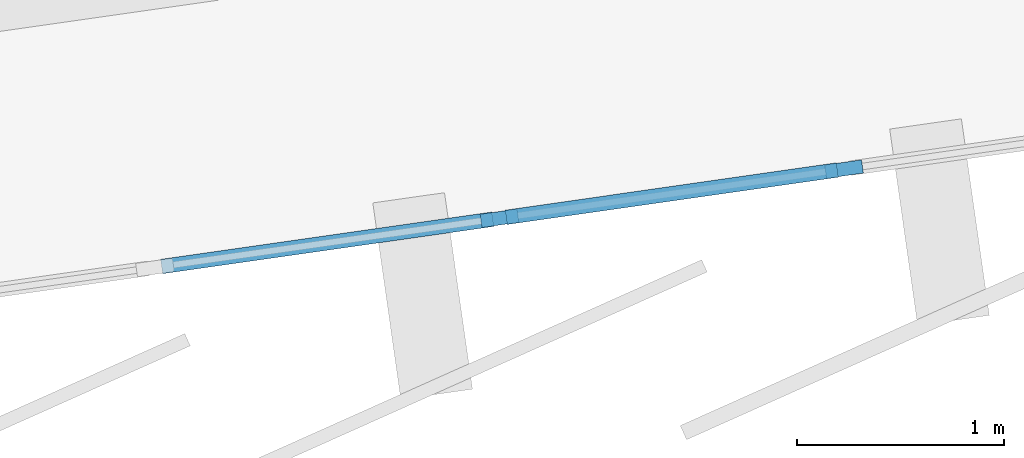
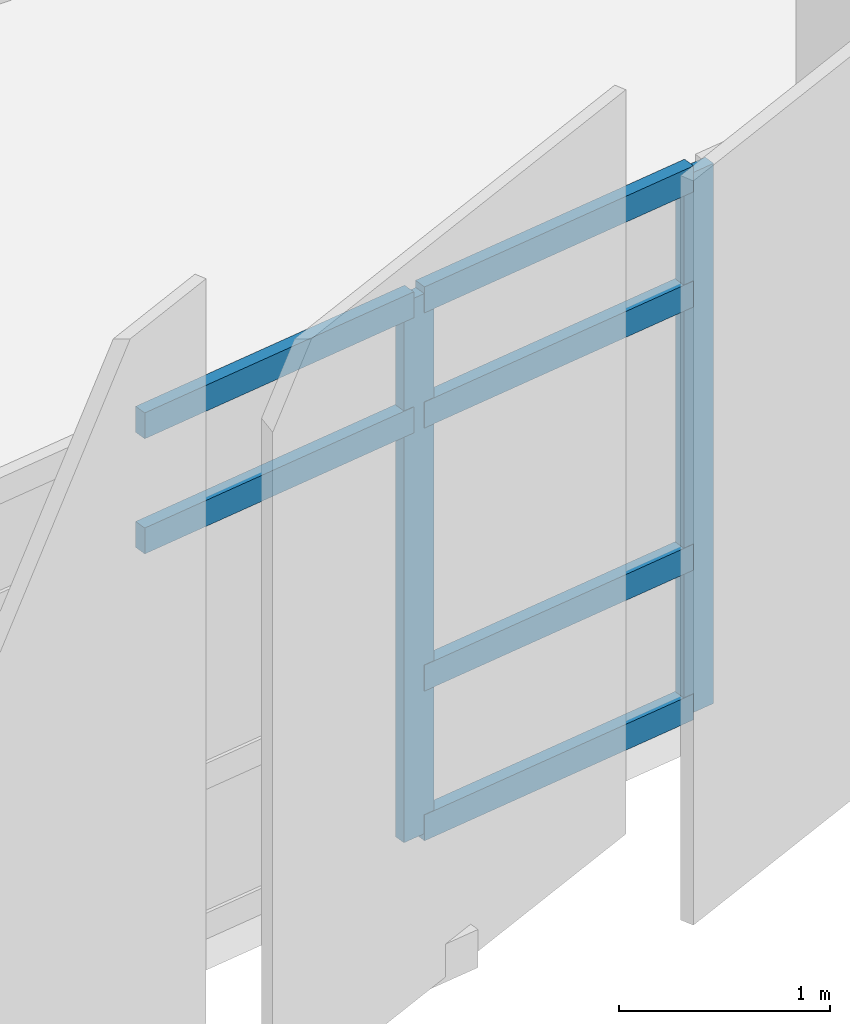
# One storey, part 25 of 87: 8 members, 1 element without a shape of its own.
"""IFC4 building model written with IfcOpenShell, lengths in metres."""

from ifc_helpers import new_model, si_unit, direction, frame, origin, origin_2d, place, context, subcontext, project, spatial, rectangle, extrude, material, layer, layer_set, material_profile, profile_set, type_object, element, aggregate, save


model = new_model("IFC4")

# Units and contexts
model_context = context("Model", 3, precision=1e-05, world=origin(), true_north=direction((0.0, 1.0)))
body_context = subcontext(model_context, "Body", "Model", "MODEL_VIEW")
ifc_project = project(units=[si_unit("LENGTHUNIT", "METRE"), si_unit("AREAUNIT", "SQUARE_METRE"), si_unit("VOLUMEUNIT", "CUBIC_METRE"), si_unit("PLANEANGLEUNIT", "RADIAN"), si_unit("MASSUNIT", "GRAM", prefix="KILO")], contexts=[model_context])

# Site, building, storey
site_placement = place(None, origin())
site = spatial("IfcSite", under=ifc_project, at=site_placement, CompositionType="ELEMENT")
building_placement = place(site_placement, origin())
building = spatial("IfcBuilding", under=site, at=building_placement, Name="Sohan Crest Arena", CompositionType="ELEMENT")
storey_placement = place(building_placement, frame((0.0, 0.0, 18.0)))
storey = spatial("IfcBuildingStorey", under=building, at=storey_placement, Name="L04", CompositionType="ELEMENT", Elevation=18.0)

# Curtain wall, members
ifc_material = material(Name="Thermally broken anodised aluminium", Category="aluminium")
ifc_layer = layer(ifc_material, 0.2099609375, Name="Thermally broken anodised aluminium")
ifc_layer_set = layer_set([ifc_layer], Name="Thermally broken anodised aluminium")
curtain_wall_type = type_object("IfcCurtainWallType", Name="ARC-CW06", PredefinedType="NOTDEFINED", material=ifc_layer_set)
curtain_wall_placement = place(storey_placement, origin())
curtain_wall = element("IfcCurtainWall", 1, at=curtain_wall_placement, inside=storey, type_object=curtain_wall_type, Name="Unitised curtain wall CW-129", PredefinedType="NOTDEFINED")
ifc_material_profile_1 = material_profile(ifc_material, rectangle(XDim=0.06494140625, YDim=0.179931640625, at=origin_2d()), Name="ALU-MULL 65x180")
ifc_profile_set_1 = profile_set([ifc_material_profile_1], Name="Thermally broken anodised aluminium")
member_type_1 = type_object("IfcMemberType", Name="ARC-CW-ML02", PredefinedType="MULLION", material=ifc_profile_set_1)
member_1_placement = place(storey_placement, frame((154.666748046875, 36.7451171875, 0.0), z_axis=(0.0, 0.0, 1.0), x_axis=(-0.141365918403, 0.989957411768, 0.0)))
member_1 = element("IfcMember", 2, at=member_1_placement, type_object=member_type_1, Name="CW-129 mullion 5", PredefinedType="MULLION", context=body_context, shape_type="SweptSolid", body=[
    extrude(rectangle(XDim=0.06494140625, YDim=0.179931640625, at=origin_2d()), origin(), (0.0, 0.0, 1.0), 3.1201171875),
])
member_2_placement = place(storey_placement, frame((156.333251953125, 36.98291015625, 0.0), z_axis=(0.0, 0.0, 1.0), x_axis=(-0.141365918403, 0.989957411768, 0.0)))
member_2 = element("IfcMember", 3, at=member_2_placement, type_object=member_type_1, Name="CW-129 mullion 6", PredefinedType="MULLION", context=body_context, shape_type="SweptSolid", body=[
    extrude(rectangle(XDim=0.06494140625, YDim=0.179931640625, at=origin_2d()), origin(), (0.0, 0.0, 1.0), 3.1201171875),
])
ifc_material_profile_2 = material_profile(ifc_material, rectangle(XDim=0.070068359375, YDim=0.14990234375, at=origin_2d()), Name="ALU-TRAN 70x150")
ifc_profile_set_2 = profile_set([ifc_material_profile_2], Name="Thermally broken anodised aluminium")
member_type_2 = type_object("IfcMemberType", Name="ARC-CW-TR03", PredefinedType="USERDEFINED", material=ifc_profile_set_2)
member_3_placement = place(storey_placement, frame((153.0322265625, 36.511474609375, 2.419921875), z_axis=(0.98994044144, 0.141484707309, 0.0), x_axis=(-0.141484707309, 0.98994044144, 0.0)))
member_3 = element("IfcMember", 4, at=member_3_placement, type_object=member_type_2, Name="CW-129 transom 4.3", ObjectType="TRANSOM", PredefinedType="USERDEFINED", context=body_context, shape_type="SweptSolid", body=[
    extrude(rectangle(XDim=0.070068359375, YDim=0.14990234375, at=origin_2d()), origin(), (0.0, 0.0, 1.0), 1.61865234375),
])
member_4_placement = place(storey_placement, frame((153.0322265625, 36.511474609375, 3.0849609375), z_axis=(0.98994044144, 0.141484707309, 0.0), x_axis=(-0.141484707309, 0.98994044144, 0.0)))
member_4 = element("IfcMember", 5, at=member_4_placement, type_object=member_type_2, Name="CW-129 transom 4.4", ObjectType="TRANSOM", PredefinedType="USERDEFINED", context=body_context, shape_type="SweptSolid", body=[
    extrude(rectangle(XDim=0.070068359375, YDim=0.14990234375, at=origin_2d()), origin(), (0.0, 0.0, 1.0), 1.61865234375),
])
member_5_placement = place(storey_placement, frame((154.69873046875, 36.74951171875, 0.034912109375), z_axis=(0.989943460198, 0.141463584044, 0.0), x_axis=(-0.141463584044, 0.989943460198, 0.0)))
member_5 = element("IfcMember", 6, at=member_5_placement, type_object=member_type_2, Name="CW-129 transom 5.1", ObjectType="TRANSOM", PredefinedType="USERDEFINED", context=body_context, shape_type="SweptSolid", body=[
    extrude(rectangle(XDim=0.070068359375, YDim=0.14990234375, at=origin_2d()), origin(), (0.0, 0.0, 1.0), 1.618896484375),
])
member_6_placement = place(storey_placement, frame((154.69873046875, 36.74951171875, 0.89990234375), z_axis=(0.989943460198, 0.141463584044, 0.0), x_axis=(-0.141463584044, 0.989943460198, 0.0)))
member_6 = element("IfcMember", 7, at=member_6_placement, type_object=member_type_2, Name="CW-129 transom 5.2", ObjectType="TRANSOM", PredefinedType="USERDEFINED", context=body_context, shape_type="SweptSolid", body=[
    extrude(rectangle(XDim=0.070068359375, YDim=0.14990234375, at=origin_2d()), origin(), (0.0, 0.0, 1.0), 1.618896484375),
])
member_7_placement = place(storey_placement, frame((154.69873046875, 36.74951171875, 2.419921875), z_axis=(0.989943460198, 0.141463584044, 0.0), x_axis=(-0.141463584044, 0.989943460198, 0.0)))
member_7 = element("IfcMember", 8, at=member_7_placement, type_object=member_type_2, Name="CW-129 transom 5.3", ObjectType="TRANSOM", PredefinedType="USERDEFINED", context=body_context, shape_type="SweptSolid", body=[
    extrude(rectangle(XDim=0.070068359375, YDim=0.14990234375, at=origin_2d()), origin(), (0.0, 0.0, 1.0), 1.618896484375),
])
member_8_placement = place(storey_placement, frame((154.69873046875, 36.74951171875, 3.0849609375), z_axis=(0.989943460198, 0.141463584044, 0.0), x_axis=(-0.141463584044, 0.989943460198, 0.0)))
member_8 = element("IfcMember", 9, at=member_8_placement, type_object=member_type_2, Name="CW-129 transom 5.4", ObjectType="TRANSOM", PredefinedType="USERDEFINED", context=body_context, shape_type="SweptSolid", body=[
    extrude(rectangle(XDim=0.070068359375, YDim=0.14990234375, at=origin_2d()), origin(), (0.0, 0.0, 1.0), 1.618896484375),
])
aggregate(curtain_wall, [member_1, member_2, member_3, member_4, member_5, member_6, member_7, member_8])

save(model, "model.ifc")
